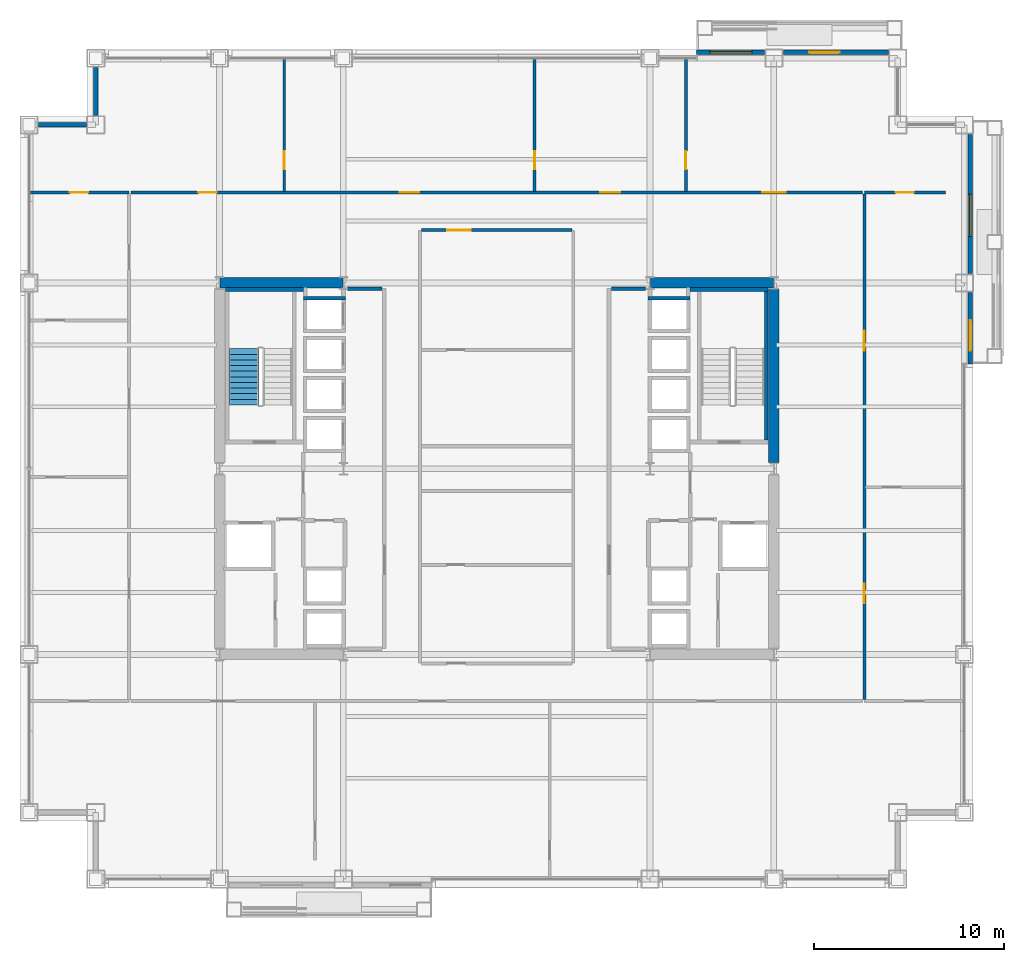
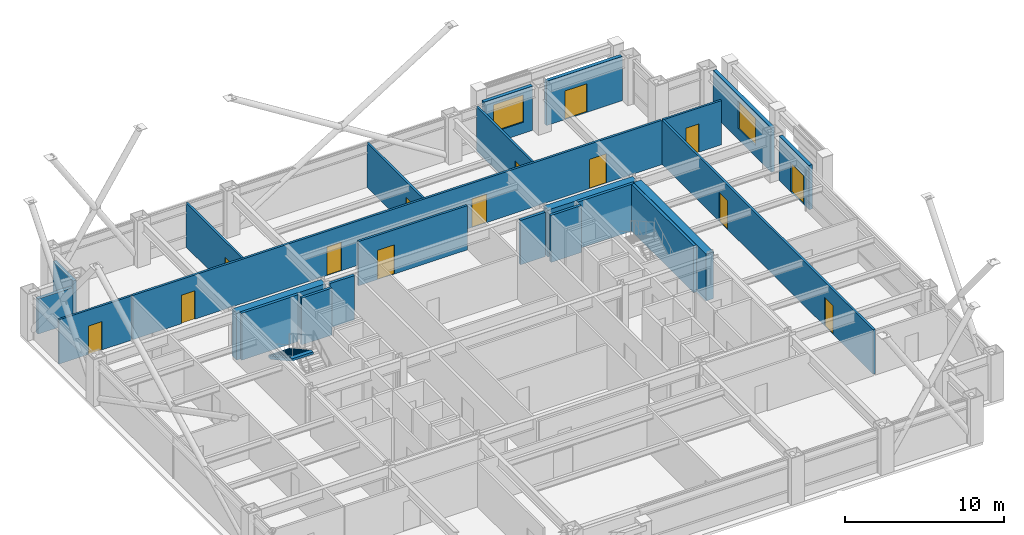
# One storey, part 30 of 34: 24 walls, 14 doors, 2 windows, 1 stair flight, 16 openings, 1 element without a shape of its own.
"""IFC4 building model written with IfcOpenShell, lengths in metres."""

from ifc_helpers import new_model, si_unit, direction, frame, frame_2d, origin, place, context, subcontext, project, spatial, polyline, rectangle, outline, extrude, material, layer, layer_set, type_object, element, fill, aggregate, save


model = new_model("IFC4")

# Units and contexts
model_context = context("Model", 3, precision=1e-05, world=origin(), true_north=direction((0.0, 1.0)))
body_context = subcontext(model_context, "Body", "Model", "MODEL_VIEW")
ifc_project = project(units=[si_unit("LENGTHUNIT", "METRE"), si_unit("AREAUNIT", "SQUARE_METRE"), si_unit("VOLUMEUNIT", "CUBIC_METRE"), si_unit("PLANEANGLEUNIT", "RADIAN"), si_unit("MASSUNIT", "GRAM", prefix="KILO")], contexts=[model_context])

# Site, building, storey
site_placement = place(None, origin())
site = spatial("IfcSite", under=ifc_project, at=site_placement, CompositionType="ELEMENT")
building_placement = place(site_placement, origin())
building = spatial("IfcBuilding", under=site, at=building_placement, Name="Brelmoor Portico Tower", CompositionType="ELEMENT")
storey_placement = place(building_placement, frame((0.0, 0.0, 45.60009765625)))
storey = spatial("IfcBuildingStorey", under=building, at=storey_placement, Name="L11", CompositionType="ELEMENT", Elevation=45.60009765625)

# Walls
ifc_material_1 = material(Name="Concrete C60", Category="concrete")
ifc_layer_1 = layer(ifc_material_1, 0.550048828125)
ifc_layer_set_1 = layer_set([ifc_layer_1], Name="Concrete C60")
wall_type_1 = type_object("IfcWallType", Name="WL-CORE-550", PredefinedType="SHEAR", material=ifc_layer_set_1)
for number, where, z_axis, x_axis, name in (
    (1, (-14.530029296875, 9.75, -0.2001953125), (0.0, 0.0, 1.0), (1.0, 0.0, 0.0), "L11 WC North Shear Wall"),
    (2, (8.070068359375, 9.75, -0.2001953125), (0.0, 0.0, 1.0), (1.0, 0.0, 0.0), "L11 EC North Shear Wall"),
):
    element("IfcWall", number, at=place(storey_placement, frame(where, z_axis=z_axis, x_axis=x_axis)), inside=storey, type_object=wall_type_1, Name=name, PredefinedType="SHEAR", context=body_context, shape_type="SweptSolid", body=[
        extrude(rectangle(XDim=6.4599609375, YDim=0.550048828125, at=frame_2d((3.22998046875, 0.0))), origin(), (0.0, 0.0, 1.0), 3.60009765625),
    ])
wall_1_placement = place(storey_placement, frame((14.550048828125, 0.324951171875, -0.2001953125), z_axis=(0.0, 0.0, 1.0), x_axis=(0.0, 1.0, 0.0)))
element("IfcWall", 3, at=wall_1_placement, inside=storey, type_object=wall_type_1, Name="L11 EC Outer North Shear Wall", PredefinedType="SHEAR", context=body_context, shape_type="SweptSolid", body=[
    extrude(rectangle(XDim=9.10009765625, YDim=0.550048828125, at=frame_2d((4.550048828125, 0.0))), origin(), (0.0, 0.0, 1.0), 3.60009765625),
])

# Wall, opening, window
ifc_material_2 = material(Name="Precast Concrete C40 Insulated Facade Wall", Category="concrete")
ifc_layer_2 = layer(ifc_material_2, 0.25)
ifc_layer_set_2 = layer_set([ifc_layer_2], Name="Precast Concrete C40 Insulated Facade Wall")
wall_type_2 = type_object("IfcWallType", Name="WL-EXT-250", PredefinedType="STANDARD", material=ifc_layer_set_2)
wall_2_placement = place(storey_placement, frame((10.5, 21.860107421875, 0.0), z_axis=(0.0, 0.0, 1.0), x_axis=(1.0, 0.0, 0.0)))
wall_2 = element("IfcWall", 4, at=wall_2_placement, inside=storey, type_object=wall_type_2, Name="L11 Loggia Threshold Wall N-1", PredefinedType="STANDARD", context=body_context, shape_type="SweptSolid", body=[
    extrude(rectangle(XDim=3.554931640625, YDim=0.25, at=frame_2d((1.77734375, 0.0))), origin(), (0.0, 0.0, 1.0), 3.39990234375),
])
opening_1_placement = place(wall_2_placement, frame((0.699951171875, 0.0, 0.85009765625)))
opening_1 = element("IfcOpeningElement", 5, at=opening_1_placement, cuts=wall_2, Name="Opening W-03B", PredefinedType="OPENING", context=body_context, shape_type="SweptSolid", body=[
    extrude(rectangle(XDim=2.199951171875, YDim=2.10009765625, at=frame_2d((1.10009765625, 1.050048828125))), frame((0.0, 0.135009765625, 0.0), z_axis=(0.0, -1.0, 0.0), x_axis=(1.0, 0.0, 0.0)), (0.0, 0.0, 1.0), 0.27001953125),
])
ifc_material_3 = material(Name="Thermally Broken Aluminium Low-E Window", Category="aluminium")
window_type = type_object("IfcWindowType", Name="WN-LOGGIA-2200x2100", PartitioningType="SINGLE_PANEL", PredefinedType="WINDOW", material=ifc_material_3)
window_1_placement = place(opening_1_placement, origin())
window_1 = element("IfcWindow", 6, at=window_1_placement, inside=storey, type_object=window_type, Name="L11 Loggia Window N", OverallHeight=2.10009765625, OverallWidth=2.199951171875, PartitioningType="SINGLE_PANEL", PredefinedType="WINDOW", context=body_context, shape_type="SweptSolid", body=[
    extrude(rectangle(XDim=2.199951171875, YDim=2.10009765625, at=frame_2d((1.10009765625, 1.050048828125))), frame((0.0, 0.030029296875, 0.0), z_axis=(0.0, -1.0, 0.0), x_axis=(1.0, 0.0, 0.0)), (0.0, 0.0, 1.0), 0.06005859375),
])
fill(opening_1, window_1)

# Wall, opening, door
wall_3_placement = place(storey_placement, frame((15.044921875, 21.860107421875, 0.0), z_axis=(0.0, 0.0, 1.0), x_axis=(1.0, 0.0, 0.0)))
wall_3 = element("IfcWall", 7, at=wall_3_placement, inside=storey, type_object=wall_type_2, Name="L11 Loggia Threshold Wall N-2", PredefinedType="STANDARD", context=body_context, shape_type="SweptSolid", body=[
    extrude(rectangle(XDim=5.510009765625, YDim=0.25, at=frame_2d((2.7548828125, 0.0))), origin(), (0.0, 0.0, 1.0), 3.39990234375),
])
opening_2_placement = place(wall_3_placement, frame((1.35498046875, 0.0, 0.0)))
opening_2 = element("IfcOpeningElement", 8, at=opening_2_placement, cuts=wall_3, Name="Opening D-TB1", PredefinedType="OPENING", context=body_context, shape_type="SweptSolid", body=[
    extrude(rectangle(XDim=1.60009765625, YDim=2.199951171875, at=frame_2d((0.800048828125, 1.10009765625))), frame((0.0, 0.135009765625, 0.0), z_axis=(0.0, -1.0, 0.0), x_axis=(1.0, 0.0, 0.0)), (0.0, 0.0, 1.0), 0.27001953125),
])
ifc_material_4 = material(Name="Double-Leaf Thermally Broken Terrace Door", Category="aluminium")
door_type_1 = type_object("IfcDoorType", Name="DR-BALCONY-1600", OperationType="NOTDEFINED", PredefinedType="DOOR", material=ifc_material_4)
door_1_placement = place(opening_2_placement, origin())
door_1 = element("IfcDoor", 9, at=door_1_placement, inside=storey, type_object=door_type_1, Name="D-0511 L11 Tree Balcony Double Door N", OperationType="DOUBLE_DOOR_SINGLE_SWING", OverallHeight=2.199951171875, OverallWidth=1.60009765625, PredefinedType="DOOR", context=body_context, shape_type="SweptSolid", body=[
    extrude(rectangle(XDim=1.60009765625, YDim=2.199951171875, at=frame_2d((0.800048828125, 1.10009765625))), frame((0.0, 0.02490234375, 0.0), z_axis=(0.0, -1.0, 0.0), x_axis=(1.0, 0.0, 0.0)), (0.0, 0.0, 1.0), 0.050048828125),
])
fill(opening_2, door_1)

wall_4_placement = place(storey_placement, frame((24.860107421875, 5.5, 0.0), z_axis=(0.0, 0.0, 1.0), x_axis=(0.0, 1.0, 0.0)))
wall_4 = element("IfcWall", 10, at=wall_4_placement, inside=storey, type_object=wall_type_2, Name="L11 Loggia Threshold Wall E-1", PredefinedType="STANDARD", context=body_context, shape_type="SweptSolid", body=[
    extrude(rectangle(XDim=3.7548828125, YDim=0.25, at=frame_2d((1.87744140625, 0.0))), origin(), (0.0, 0.0, 1.0), 3.39990234375),
])
opening_3_placement = place(wall_4_placement, frame((0.699951171875, 0.0, 0.0)))
opening_3 = element("IfcOpeningElement", 11, at=opening_3_placement, cuts=wall_4, Name="Opening D-TB1", PredefinedType="OPENING", context=body_context, shape_type="SweptSolid", body=[
    extrude(rectangle(XDim=1.60009765625, YDim=2.199951171875, at=frame_2d((0.800048828125, 1.10009765625))), frame((0.0, 0.135009765625, 0.0), z_axis=(0.0, -1.0, 0.0), x_axis=(1.0, 0.0, 0.0)), (0.0, 0.0, 1.0), 0.27001953125),
])
door_2_placement = place(opening_3_placement, origin())
door_2 = element("IfcDoor", 12, at=door_2_placement, inside=storey, type_object=door_type_1, Name="D-0510 L11 Tree Balcony Double Door E", OperationType="DOUBLE_DOOR_SINGLE_SWING", OverallHeight=2.199951171875, OverallWidth=1.60009765625, PredefinedType="DOOR", context=body_context, shape_type="SweptSolid", body=[
    extrude(rectangle(XDim=1.60009765625, YDim=2.199951171875, at=frame_2d((0.800048828125, 1.10009765625))), frame((0.0, 0.02490234375, 0.0), z_axis=(0.0, -1.0, 0.0), x_axis=(1.0, 0.0, 0.0)), (0.0, 0.0, 1.0), 0.050048828125),
])
fill(opening_3, door_2)

# Wall, opening, window
wall_5_placement = place(storey_placement, frame((24.860107421875, 10.2451171875, 0.0), z_axis=(0.0, 0.0, 1.0), x_axis=(0.0, 1.0, 0.0)))
wall_5 = element("IfcWall", 13, at=wall_5_placement, inside=storey, type_object=wall_type_2, Name="L11 Loggia Threshold Wall E-2", PredefinedType="STANDARD", context=body_context, shape_type="SweptSolid", body=[
    extrude(rectangle(XDim=7.309814453125, YDim=0.25, at=frame_2d((3.65478515625, 0.0))), origin(), (0.0, 0.0, 1.0), 3.39990234375),
])
opening_4_placement = place(wall_5_placement, frame((1.955078125, 0.0, 0.85009765625)))
opening_4 = element("IfcOpeningElement", 14, at=opening_4_placement, cuts=wall_5, Name="Opening W-03B", PredefinedType="OPENING", context=body_context, shape_type="SweptSolid", body=[
    extrude(rectangle(XDim=2.199951171875, YDim=2.10009765625, at=frame_2d((1.10009765625, 1.050048828125))), frame((0.0, 0.135009765625, 0.0), z_axis=(0.0, -1.0, 0.0), x_axis=(1.0, 0.0, 0.0)), (0.0, 0.0, 1.0), 0.27001953125),
])
window_2_placement = place(opening_4_placement, origin())
window_2 = element("IfcWindow", 15, at=window_2_placement, inside=storey, type_object=window_type, Name="L11 Loggia Window E", OverallHeight=2.10009765625, OverallWidth=2.199951171875, PartitioningType="SINGLE_PANEL", PredefinedType="WINDOW", context=body_context, shape_type="SweptSolid", body=[
    extrude(rectangle(XDim=2.199951171875, YDim=2.10009765625, at=frame_2d((1.10009765625, 1.050048828125))), frame((0.0, 0.030029296875, 0.0), z_axis=(0.0, -1.0, 0.0), x_axis=(1.0, 0.0, 0.0)), (0.0, 0.0, 1.0), 0.06005859375),
])
fill(opening_4, window_2)

# Walls
for number, where, z_axis, x_axis, name in (
    (16, (-24.06494140625, 18.050048828125, 0.0), (0.0, 0.0, 1.0), (1.0, 0.0, 0.0), "L11 Corner Notch Facade Wall NNWH1"),
    (17, (-21.050048828125, 18.534912109375, 0.0), (0.0, 0.0, 1.0), (0.0, 1.0, 0.0), "L11 Corner Notch Facade Wall NNWV1"),
):
    element("IfcWall", number, at=place(storey_placement, frame(where, z_axis=z_axis, x_axis=x_axis)), inside=storey, type_object=wall_type_2, Name=name, PredefinedType="STANDARD", context=body_context, shape_type="SweptSolid", body=[
        extrude(rectangle(XDim=2.530029296875, YDim=0.25, at=frame_2d((1.26513671875, 0.0))), origin(), (0.0, 0.0, 1.0), 2.699951171875),
    ])

# Wall, opening, door
ifc_material_5 = material(Name="Wet-Area Moisture-Resistant Partition", Category="gypsum")
ifc_layer_3 = layer(ifc_material_5, 0.14990234375)
ifc_layer_set_3 = layer_set([ifc_layer_3], Name="Wet-Area Moisture-Resistant Partition")
wall_type_3 = type_object("IfcWallType", Name="WL-PART-150", PredefinedType="PARTITIONING", material=ifc_layer_set_3)
wall_6_placement = place(storey_placement, frame((-11.149658203125, 14.56005859375, 0.0), z_axis=(0.0, 0.0, 1.0), x_axis=(0.0, 1.0, 0.0)))
wall_6 = element("IfcWall", 18, at=wall_6_placement, inside=storey, type_object=wall_type_3, Name="L11 North Suite Partition 1", PredefinedType="PARTITIONING", context=body_context, shape_type="SweptSolid", body=[
    extrude(rectangle(XDim=7.0, YDim=0.14990234375, at=frame_2d((3.5, 0.0))), origin(), (0.0, 0.0, 1.0), 3.39990234375),
])
opening_5_placement = place(wall_6_placement, frame((1.14990234375, 0.0, 0.0)))
opening_5 = element("IfcOpeningElement", 19, at=opening_5_placement, cuts=wall_6, Name="Opening D-IN2", PredefinedType="OPENING", context=body_context, shape_type="SweptSolid", body=[
    extrude(rectangle(XDim=0.9599609375, YDim=2.179931640625, at=frame_2d((0.47998046875, 1.08984375))), frame((0.0, 0.0849609375, 0.0), z_axis=(0.0, -1.0, 0.0), x_axis=(1.0, 0.0, 0.0)), (0.0, 0.0, 1.0), 0.169921875),
])
ifc_material_6 = material(Name="Lacquered Timber Suite Door", Category="wood")
door_type_2 = type_object("IfcDoorType", Name="DR-INT-950", OperationType="NOTDEFINED", PredefinedType="DOOR", material=ifc_material_6)
door_3_placement = place(opening_5_placement, origin())
door_3 = element("IfcDoor", 20, at=door_3_placement, inside=storey, type_object=door_type_2, Name="D-0496 L11 North Suite Connecting Door 1", OperationType="SINGLE_SWING_RIGHT", OverallHeight=2.179931640625, OverallWidth=0.9599609375, PredefinedType="DOOR", context=body_context, shape_type="SweptSolid", body=[
    extrude(rectangle(XDim=0.9599609375, YDim=2.179931640625, at=frame_2d((0.47998046875, 1.08984375))), frame((0.0, 0.02490234375, 0.0), z_axis=(0.0, -1.0, 0.0), x_axis=(1.0, 0.0, 0.0)), (0.0, 0.0, 1.0), 0.050048828125),
])
fill(opening_5, door_3)

wall_7_placement = place(storey_placement, frame((1.990966796875, 14.56005859375, 0.0), z_axis=(0.0, 0.0, 1.0), x_axis=(0.0, 1.0, 0.0)))
wall_7 = element("IfcWall", 21, at=wall_7_placement, inside=storey, type_object=wall_type_3, Name="L11 North Suite Partition 2", PredefinedType="PARTITIONING", context=body_context, shape_type="SweptSolid", body=[
    extrude(rectangle(XDim=7.0, YDim=0.14990234375, at=frame_2d((3.5, 0.0))), origin(), (0.0, 0.0, 1.0), 3.39990234375),
])
opening_6_placement = place(wall_7_placement, frame((1.14990234375, 0.0, 0.0)))
opening_6 = element("IfcOpeningElement", 22, at=opening_6_placement, cuts=wall_7, Name="Opening D-IN2", PredefinedType="OPENING", context=body_context, shape_type="SweptSolid", body=[
    extrude(rectangle(XDim=0.9599609375, YDim=2.179931640625, at=frame_2d((0.47998046875, 1.08984375))), frame((0.0, 0.0849609375, 0.0), z_axis=(0.0, -1.0, 0.0), x_axis=(1.0, 0.0, 0.0)), (0.0, 0.0, 1.0), 0.169921875),
])
door_4_placement = place(opening_6_placement, origin())
door_4 = element("IfcDoor", 23, at=door_4_placement, inside=storey, type_object=door_type_2, Name="D-0497 L11 North Suite Connecting Door 2", OperationType="SINGLE_SWING_LEFT", OverallHeight=2.179931640625, OverallWidth=0.9599609375, PredefinedType="DOOR", context=body_context, shape_type="SweptSolid", body=[
    extrude(rectangle(XDim=0.9599609375, YDim=2.179931640625, at=frame_2d((0.47998046875, 1.08984375))), frame((0.0, 0.02490234375, 0.0), z_axis=(0.0, -1.0, 0.0), x_axis=(1.0, 0.0, 0.0)), (0.0, 0.0, 1.0), 0.050048828125),
])
fill(opening_6, door_4)

wall_8_placement = place(storey_placement, frame((9.929931640625, 14.56005859375, 0.0), z_axis=(0.0, 0.0, 1.0), x_axis=(0.0, 1.0, 0.0)))
wall_8 = element("IfcWall", 24, at=wall_8_placement, inside=storey, type_object=wall_type_3, Name="L11 North Suite Partition 3", PredefinedType="PARTITIONING", context=body_context, shape_type="SweptSolid", body=[
    extrude(rectangle(XDim=7.0, YDim=0.14990234375, at=frame_2d((3.5, 0.0))), origin(), (0.0, 0.0, 1.0), 3.39990234375),
])
opening_7_placement = place(wall_8_placement, frame((1.14990234375, 0.0, 0.0)))
opening_7 = element("IfcOpeningElement", 25, at=opening_7_placement, cuts=wall_8, Name="Opening D-IN2", PredefinedType="OPENING", context=body_context, shape_type="SweptSolid", body=[
    extrude(rectangle(XDim=0.9599609375, YDim=2.179931640625, at=frame_2d((0.47998046875, 1.08984375))), frame((0.0, 0.0849609375, 0.0), z_axis=(0.0, -1.0, 0.0), x_axis=(1.0, 0.0, 0.0)), (0.0, 0.0, 1.0), 0.169921875),
])
door_5_placement = place(opening_7_placement, origin())
door_5 = element("IfcDoor", 26, at=door_5_placement, inside=storey, type_object=door_type_2, Name="D-0498 L11 North Suite Connecting Door 3", OperationType="SINGLE_SWING_RIGHT", OverallHeight=2.179931640625, OverallWidth=0.9599609375, PredefinedType="DOOR", context=body_context, shape_type="SweptSolid", body=[
    extrude(rectangle(XDim=0.9599609375, YDim=2.179931640625, at=frame_2d((0.47998046875, 1.08984375))), frame((0.0, 0.02490234375, 0.0), z_axis=(0.0, -1.0, 0.0), x_axis=(1.0, 0.0, 0.0)), (0.0, 0.0, 1.0), 0.050048828125),
])
fill(opening_7, door_5)

wall_9_placement = place(storey_placement, frame((-24.56005859375, 14.5, 0.0), z_axis=(0.0, 0.0, 1.0), x_axis=(1.0, 0.0, 0.0)))
wall_9 = element("IfcWall", 27, at=wall_9_placement, inside=storey, type_object=wall_type_3, Name="L11 North Outer Closure WL", PredefinedType="PARTITIONING", context=body_context, shape_type="SweptSolid", body=[
    extrude(rectangle(XDim=5.260009765625, YDim=0.14990234375, at=frame_2d((2.6298828125, 0.0))), origin(), (0.0, 0.0, 1.0), 3.39990234375),
])
opening_8_placement = place(wall_9_placement, frame((2.14990234375, 0.0, 0.0)))
opening_8 = element("IfcOpeningElement", 28, at=opening_8_placement, cuts=wall_9, Name="Opening D-IN2", PredefinedType="OPENING", context=body_context, shape_type="SweptSolid", body=[
    extrude(rectangle(XDim=0.9599609375, YDim=2.179931640625, at=frame_2d((0.47998046875, 1.08984375))), frame((0.0, 0.0849609375, 0.0), z_axis=(0.0, -1.0, 0.0), x_axis=(1.0, 0.0, 0.0)), (0.0, 0.0, 1.0), 0.169921875),
])
door_6_placement = place(opening_8_placement, origin())
door_6 = element("IfcDoor", 29, at=door_6_placement, inside=storey, type_object=door_type_2, Name="D-0500 L11 WL North Corner Suite Door", OperationType="SINGLE_SWING_LEFT", OverallHeight=2.179931640625, OverallWidth=0.9599609375, PredefinedType="DOOR", context=body_context, shape_type="SweptSolid", body=[
    extrude(rectangle(XDim=0.9599609375, YDim=2.179931640625, at=frame_2d((0.47998046875, 1.08984375))), frame((0.0, 0.02490234375, 0.0), z_axis=(0.0, -1.0, 0.0), x_axis=(1.0, 0.0, 0.0)), (0.0, 0.0, 1.0), 0.050048828125),
])
fill(opening_8, door_6)

wall_10_placement = place(storey_placement, frame((19.300048828125, 14.5, 0.0), z_axis=(0.0, 0.0, 1.0), x_axis=(1.0, 0.0, 0.0)))
wall_10 = element("IfcWall", 30, at=wall_10_placement, inside=storey, type_object=wall_type_3, Name="L11 North Outer Closure ER", PredefinedType="PARTITIONING", context=body_context, shape_type="SweptSolid", body=[
    extrude(rectangle(XDim=4.25, YDim=0.14990234375, at=frame_2d((2.125, 0.0))), origin(), (0.0, 0.0, 1.0), 3.39990234375),
])
opening_9_placement = place(wall_10_placement, frame((1.64501953125, 0.0, 0.0)))
opening_9 = element("IfcOpeningElement", 31, at=opening_9_placement, cuts=wall_10, Name="Opening D-IN2", PredefinedType="OPENING", context=body_context, shape_type="SweptSolid", body=[
    extrude(rectangle(XDim=0.9599609375, YDim=2.179931640625, at=frame_2d((0.47998046875, 1.08984375))), frame((0.0, 0.0849609375, 0.0), z_axis=(0.0, -1.0, 0.0), x_axis=(1.0, 0.0, 0.0)), (0.0, 0.0, 1.0), 0.169921875),
])
door_7_placement = place(opening_9_placement, origin())
door_7 = element("IfcDoor", 32, at=door_7_placement, inside=storey, type_object=door_type_2, Name="D-0499 L11 ER North Corner Suite Door", OperationType="SINGLE_SWING_RIGHT", OverallHeight=2.179931640625, OverallWidth=0.9599609375, PredefinedType="DOOR", context=body_context, shape_type="SweptSolid", body=[
    extrude(rectangle(XDim=0.9599609375, YDim=2.179931640625, at=frame_2d((0.47998046875, 1.08984375))), frame((0.0, 0.02490234375, 0.0), z_axis=(0.0, -1.0, 0.0), x_axis=(1.0, 0.0, 0.0)), (0.0, 0.0, 1.0), 0.050048828125),
])
fill(opening_9, door_7)

ifc_material_7 = material(Name="Twin-Frame Acoustic Partition", Category="gypsum")
ifc_layer_4 = layer(ifc_material_7, 0.159912109375)
ifc_layer_set_4 = layer_set([ifc_layer_4], Name="Twin-Frame Acoustic Partition")
wall_type_4 = type_object("IfcWallType", Name="WL-PART-160", PredefinedType="PARTITIONING", material=ifc_layer_set_4)
wall_11_placement = place(storey_placement, frame((-3.949951171875, 12.52001953125, 0.0), z_axis=(0.0, 0.0, 1.0), x_axis=(1.0, 0.0, 0.0)))
wall_11 = element("IfcWall", 33, at=wall_11_placement, inside=storey, type_object=wall_type_4, Name="L11 Central Meeting Corridor Wall", PredefinedType="PARTITIONING", context=body_context, shape_type="SweptSolid", body=[
    extrude(rectangle(XDim=7.89990234375, YDim=0.159912109375, at=frame_2d((3.949951171875, 0.0))), origin(), (0.0, 0.0, 1.0), 3.39990234375),
])
opening_10_placement = place(wall_11_placement, frame((1.35009765625, 0.0, 0.0)))
opening_10 = element("IfcOpeningElement", 34, at=opening_10_placement, cuts=wall_11, Name="Opening D-SU1", PredefinedType="OPENING", context=body_context, shape_type="SweptSolid", body=[
    extrude(rectangle(XDim=1.239990234375, YDim=2.239990234375, at=frame_2d((0.6201171875, 1.1201171875))), frame((0.0, 0.08984375, 0.0), z_axis=(0.0, -1.0, 0.0), x_axis=(1.0, 0.0, 0.0)), (0.0, 0.0, 1.0), 0.179931640625),
])
ifc_material_8 = material(Name="Glazed Timber Executive Suite Door", Category="wood")
door_type_3 = type_object("IfcDoorType", Name="DR-SUITE-1200", OperationType="NOTDEFINED", PredefinedType="DOOR", material=ifc_material_8)
door_8_placement = place(opening_10_placement, origin())
door_8 = element("IfcDoor", 35, at=door_8_placement, inside=storey, type_object=door_type_3, Name="D-0478 L11 Client Meeting Room Door", OperationType="SINGLE_SWING_RIGHT", OverallHeight=2.239990234375, OverallWidth=1.239990234375, PredefinedType="DOOR", context=body_context, shape_type="SweptSolid", body=[
    extrude(rectangle(XDim=1.239990234375, YDim=2.239990234375, at=frame_2d((0.6201171875, 1.1201171875))), frame((0.0, 0.02490234375, 0.0), z_axis=(0.0, -1.0, 0.0), x_axis=(1.0, 0.0, 0.0)), (0.0, 0.0, 1.0), 0.050048828125),
])
fill(opening_10, door_8)

# Wall, openings, doors
wall_12_placement = place(storey_placement, frame((-19.199951171875, 14.5, 0.0), z_axis=(0.0, 0.0, 1.0), x_axis=(1.0, 0.0, 0.0)))
wall_12 = element("IfcWall", 36, at=wall_12_placement, inside=storey, type_object=wall_type_4, Name="L11 North Corridor Partition", PredefinedType="PARTITIONING", context=body_context, shape_type="SweptSolid", body=[
    extrude(rectangle(XDim=38.39990234375, YDim=0.159912109375, at=frame_2d((19.199951171875, 0.0))), origin(), (0.0, 0.0, 1.0), 3.39990234375),
])
opening_11_placement = place(wall_12_placement, frame((3.545166015625, 0.0, 0.0)))
opening_11 = element("IfcOpeningElement", 37, at=opening_11_placement, cuts=wall_12, Name="Opening D-IN2", PredefinedType="OPENING", context=body_context, shape_type="SweptSolid", body=[
    extrude(rectangle(XDim=0.9599609375, YDim=2.179931640625, at=frame_2d((0.47998046875, 1.08984375))), frame((0.0, 0.08984375, 0.0), z_axis=(0.0, -1.0, 0.0), x_axis=(1.0, 0.0, 0.0)), (0.0, 0.0, 1.0), 0.179931640625),
])
opening_12_placement = place(wall_12_placement, frame((14.110595703125, 0.0, 0.0)))
opening_12 = element("IfcOpeningElement", 38, at=opening_12_placement, cuts=wall_12, Name="Opening D-OF1", PredefinedType="OPENING", context=body_context, shape_type="SweptSolid", body=[
    extrude(rectangle(XDim=1.02001953125, YDim=2.199951171875, at=frame_2d((0.510009765625, 1.10009765625))), frame((0.0, 0.08984375, 0.0), z_axis=(0.0, -1.0, 0.0), x_axis=(1.0, 0.0, 0.0)), (0.0, 0.0, 1.0), 0.179931640625),
])
opening_13_placement = place(wall_12_placement, frame((24.630615234375, 0.0, 0.0)))
opening_13 = element("IfcOpeningElement", 39, at=opening_13_placement, cuts=wall_12, Name="Opening D-OF2", PredefinedType="OPENING", context=body_context, shape_type="SweptSolid", body=[
    extrude(rectangle(XDim=1.06005859375, YDim=2.199951171875, at=frame_2d((0.530029296875, 1.10009765625))), frame((0.0, 0.08984375, 0.0), z_axis=(0.0, -1.0, 0.0), x_axis=(1.0, 0.0, 0.0)), (0.0, 0.0, 1.0), 0.179931640625),
])
opening_14_placement = place(wall_12_placement, frame((33.14501953125, 0.0, 0.0)))
opening_14 = element("IfcOpeningElement", 40, at=opening_14_placement, cuts=wall_12, Name="Opening D-SU1", PredefinedType="OPENING", context=body_context, shape_type="SweptSolid", body=[
    extrude(rectangle(XDim=1.239990234375, YDim=2.239990234375, at=frame_2d((0.6201171875, 1.1201171875))), frame((0.0, 0.08984375, 0.0), z_axis=(0.0, -1.0, 0.0), x_axis=(1.0, 0.0, 0.0)), (0.0, 0.0, 1.0), 0.179931640625),
])
door_9_placement = place(opening_11_placement, origin())
door_9 = element("IfcDoor", 41, at=door_9_placement, inside=storey, type_object=door_type_2, Name="D-0492 L11 North Open-Plan Office 1 Door", OperationType="SINGLE_SWING_LEFT", OverallHeight=2.179931640625, OverallWidth=0.9599609375, PredefinedType="DOOR", context=body_context, shape_type="SweptSolid", body=[
    extrude(rectangle(XDim=0.9599609375, YDim=2.179931640625, at=frame_2d((0.47998046875, 1.08984375))), frame((0.0, 0.02490234375, 0.0), z_axis=(0.0, -1.0, 0.0), x_axis=(1.0, 0.0, 0.0)), (0.0, 0.0, 1.0), 0.050048828125),
])
fill(opening_11, door_9)
ifc_material_9 = material(Name="Hardwood Acoustic Veneer Door", Category="wood")
door_type_4 = type_object("IfcDoorType", Name="DR-OFFICE-1000", OperationType="NOTDEFINED", PredefinedType="DOOR", material=ifc_material_9)
door_10_placement = place(opening_12_placement, origin())
door_10 = element("IfcDoor", 42, at=door_10_placement, inside=storey, type_object=door_type_4, Name="D-0493 L11 North Cellular Office 2 Door", OperationType="SINGLE_SWING_RIGHT", OverallHeight=2.199951171875, OverallWidth=1.02001953125, PredefinedType="DOOR", context=body_context, shape_type="SweptSolid", body=[
    extrude(rectangle(XDim=1.02001953125, YDim=2.199951171875, at=frame_2d((0.510009765625, 1.10009765625))), frame((0.0, 0.02490234375, 0.0), z_axis=(0.0, -1.0, 0.0), x_axis=(1.0, 0.0, 0.0)), (0.0, 0.0, 1.0), 0.050048828125),
])
fill(opening_12, door_10)
door_type_5 = type_object("IfcDoorType", Name="DR-OFFICE-1050", OperationType="NOTDEFINED", PredefinedType="DOOR", material=ifc_material_9)
door_11_placement = place(opening_13_placement, origin())
door_11 = element("IfcDoor", 43, at=door_11_placement, inside=storey, type_object=door_type_5, Name="D-0494 L11 North Technical Storage Room 3 Door", OperationType="SINGLE_SWING_LEFT", OverallHeight=2.199951171875, OverallWidth=1.06005859375, PredefinedType="DOOR", context=body_context, shape_type="SweptSolid", body=[
    extrude(rectangle(XDim=1.06005859375, YDim=2.199951171875, at=frame_2d((0.530029296875, 1.10009765625))), frame((0.0, 0.02490234375, 0.0), z_axis=(0.0, -1.0, 0.0), x_axis=(1.0, 0.0, 0.0)), (0.0, 0.0, 1.0), 0.050048828125),
])
fill(opening_13, door_11)
door_12_placement = place(opening_14_placement, origin())
door_12 = element("IfcDoor", 44, at=door_12_placement, inside=storey, type_object=door_type_3, Name="D-0495 L11 North Project Mail and Print Room 4 Door", OperationType="SINGLE_SWING_RIGHT", OverallHeight=2.239990234375, OverallWidth=1.239990234375, PredefinedType="DOOR", context=body_context, shape_type="SweptSolid", body=[
    extrude(rectangle(XDim=1.239990234375, YDim=2.239990234375, at=frame_2d((0.6201171875, 1.1201171875))), frame((0.0, 0.02490234375, 0.0), z_axis=(0.0, -1.0, 0.0), x_axis=(1.0, 0.0, 0.0)), (0.0, 0.0, 1.0), 0.050048828125),
])
fill(opening_14, door_12)

wall_13_placement = place(storey_placement, frame((19.300048828125, -12.1201171875, 0.0), z_axis=(0.0, 0.0, 1.0), x_axis=(0.0, 1.0, 0.0)))
wall_13 = element("IfcWall", 45, at=wall_13_placement, inside=storey, type_object=wall_type_4, Name="L11 E Wing Corridor Wall", PredefinedType="PARTITIONING", context=body_context, shape_type="SweptSolid", body=[
    extrude(rectangle(XDim=26.5400390625, YDim=0.159912109375, at=frame_2d((13.27001953125, 0.0))), origin(), (0.0, 0.0, 1.0), 3.39990234375),
])
opening_15_placement = place(wall_13_placement, frame((5.0634765625, 0.0, 0.0)))
opening_15 = element("IfcOpeningElement", 46, at=opening_15_placement, cuts=wall_13, Name="Opening D-OF1", PredefinedType="OPENING", context=body_context, shape_type="SweptSolid", body=[
    extrude(rectangle(XDim=1.02001953125, YDim=2.199951171875, at=frame_2d((0.510009765625, 1.10009765625))), frame((0.0, 0.08984375, 0.0), z_axis=(0.0, -1.0, 0.0), x_axis=(1.0, 0.0, 0.0)), (0.0, 0.0, 1.0), 0.179931640625),
])
opening_16_placement = place(wall_13_placement, frame((18.3134765625, 0.0, 0.0)))
opening_16 = element("IfcOpeningElement", 47, at=opening_16_placement, cuts=wall_13, Name="Opening D-OF2", PredefinedType="OPENING", context=body_context, shape_type="SweptSolid", body=[
    extrude(rectangle(XDim=1.06005859375, YDim=2.199951171875, at=frame_2d((0.530029296875, 1.10009765625))), frame((0.0, 0.08984375, 0.0), z_axis=(0.0, -1.0, 0.0), x_axis=(1.0, 0.0, 0.0)), (0.0, 0.0, 1.0), 0.179931640625),
])
door_13_placement = place(opening_15_placement, origin())
door_13 = element("IfcDoor", 48, at=door_13_placement, inside=storey, type_object=door_type_4, Name="D-0513 L11 E Executive Study 1 Door", OperationType="SINGLE_SWING_LEFT", OverallHeight=2.199951171875, OverallWidth=1.02001953125, PredefinedType="DOOR", context=body_context, shape_type="SweptSolid", body=[
    extrude(rectangle(XDim=1.02001953125, YDim=2.199951171875, at=frame_2d((0.510009765625, 1.10009765625))), frame((0.0, 0.02490234375, 0.0), z_axis=(0.0, -1.0, 0.0), x_axis=(1.0, 0.0, 0.0)), (0.0, 0.0, 1.0), 0.050048828125),
])
fill(opening_15, door_13)
door_14_placement = place(opening_16_placement, origin())
door_14 = element("IfcDoor", 49, at=door_14_placement, inside=storey, type_object=door_type_5, Name="D-0514 L11 E Partner Office 2 Door", OperationType="SINGLE_SWING_RIGHT", OverallHeight=2.199951171875, OverallWidth=1.06005859375, PredefinedType="DOOR", context=body_context, shape_type="SweptSolid", body=[
    extrude(rectangle(XDim=1.06005859375, YDim=2.199951171875, at=frame_2d((0.530029296875, 1.10009765625))), frame((0.0, 0.02490234375, 0.0), z_axis=(0.0, -1.0, 0.0), x_axis=(1.0, 0.0, 0.0)), (0.0, 0.0, 1.0), 0.050048828125),
])
fill(opening_16, door_14)

# Walls
ifc_material_10 = material(Name="Double-Stud Gypsum Fire Partition", Category="gypsum")
ifc_layer_5 = layer(ifc_material_10, 0.199951171875)
ifc_layer_set_5 = layer_set([ifc_layer_5], Name="Double-Stud Gypsum Fire Partition")
wall_type_5 = type_object("IfcWallType", Name="WL-PART-200", PredefinedType="PARTITIONING", material=ifc_layer_set_5)
for number, where, z_axis, x_axis, name in (
    (50, (-6.02001953125, 9.449951171875, 0.0), (0.0, 0.0, 1.0), (-1.0, 0.0, 0.0), "L11 W Lift Lobby North End Wall"),
    (51, (6.02001953125, 9.449951171875, 0.0), (0.0, 0.0, 1.0), (1.0, 0.0, 0.0), "L11 E Lift Lobby North End Wall"),
):
    element("IfcWall", number, at=place(storey_placement, frame(where, z_axis=z_axis, x_axis=x_axis)), inside=storey, type_object=wall_type_5, Name=name, PredefinedType="PARTITIONING", context=body_context, shape_type="SweptSolid", body=[
        extrude(rectangle(XDim=1.800048828125, YDim=0.199951171875, at=frame_2d((0.89990234375, 0.0))), origin(), (0.0, 0.0, 1.0), 3.39990234375),
    ])
ifc_material_11 = material(Name="Precast Concrete C40", Category="concrete")
ifc_layer_6 = layer(ifc_material_11, 0.18994140625)
ifc_layer_set_6 = layer_set([ifc_layer_6], Name="Precast Concrete C40")
wall_type_6 = type_object("IfcWallType", Name="WL-SHAFT-180", PredefinedType="SOLIDWALL", material=ifc_layer_set_6)
for number, where, z_axis, x_axis, name in (
    (52, (-10.14990234375, 8.955078125, -0.2001953125), (0.0, 0.0, 1.0), (1.0, 0.0, 0.0), "L11 Lift PL4 Hoistway North Wall"),
    (53, (7.949951171875, 8.955078125, -0.2001953125), (0.0, 0.0, 1.0), (1.0, 0.0, 0.0), "L11 Lift PM4 Hoistway North Wall"),
):
    element("IfcWall", number, at=place(storey_placement, frame(where, z_axis=z_axis, x_axis=x_axis)), inside=storey, type_object=wall_type_6, Name=name, PredefinedType="SOLIDWALL", context=body_context, shape_type="SweptSolid", body=[
        extrude(rectangle(XDim=2.199951171875, YDim=0.18994140625, at=frame_2d((1.10009765625, 0.0))), origin(), (0.0, 0.0, 1.0), 3.60009765625),
    ])
ifc_material_12 = material(Name="Concrete C40", Category="concrete")
ifc_layer_7 = layer(ifc_material_12, 0.199951171875)
ifc_layer_set_7 = layer_set([ifc_layer_7], Name="Concrete C40")
wall_type_7 = type_object("IfcWallType", Name="WL-SHAFT-RC200", PredefinedType="SOLIDWALL", material=ifc_layer_set_7)
wall_14_placement = place(storey_placement, frame((14.14990234375, 1.5, -0.2001953125), z_axis=(0.0, 0.0, 1.0), x_axis=(0.0, 1.0, 0.0)))
element("IfcWall", 54, at=wall_14_placement, inside=storey, type_object=wall_type_7, Name="L11 ST-E Structural Stair Wall Outer", PredefinedType="SOLIDWALL", context=body_context, shape_type="SweptSolid", body=[
    extrude(rectangle(XDim=7.800048828125, YDim=0.199951171875, at=frame_2d((3.89990234375, 0.0))), origin(), (0.0, 0.0, 1.0), 3.60009765625),
])
for number, where, z_axis, x_axis, name in (
    (55, (-14.25, 9.39990234375, -0.2001953125), (0.0, 0.0, 1.0), (1.0, 0.0, 0.0), "L11 ST-W Structural Stair Wall N"),
    (56, (10.14990234375, 9.39990234375, -0.2001953125), (0.0, 0.0, 1.0), (1.0, 0.0, 0.0), "L11 ST-E Structural Stair Wall N"),
):
    element("IfcWall", number, at=place(storey_placement, frame(where, z_axis=z_axis, x_axis=x_axis)), inside=storey, type_object=wall_type_7, Name=name, PredefinedType="SOLIDWALL", context=body_context, shape_type="SweptSolid", body=[
        extrude(rectangle(XDim=4.10009765625, YDim=0.199951171875, at=frame_2d((2.050048828125, 0.0))), origin(), (0.0, 0.0, 1.0), 3.60009765625),
    ])

# Stair, stair flight
stair_type = type_object("IfcStairType", Name="ST-CORE-W", PredefinedType="HALF_TURN_STAIR", material=ifc_material_12)
stair_placement = place(storey_placement, origin())
stair = element("IfcStair", 57, at=stair_placement, inside=storey, type_object=stair_type, Name="L11 Protected Core Exit Stair ST-W", PredefinedType="HALF_TURN_STAIR")
stair_flight_type = type_object("IfcStairFlightType", Name="SF-CORE-1850", PredefinedType="STRAIGHT", material=ifc_material_12)
stair_flight_placement = place(storey_placement, frame((-13.27001953125, 6.300048828125, 1.7998046875), z_axis=(0.0, 0.0, 1.0), x_axis=(0.0, -1.0, 0.0)))
stair_flight = element("IfcStairFlight", 58, at=stair_flight_placement, type_object=stair_flight_type, Name="ST-W flight 2", NumberOfRisers=11, NumberOfTreads=10, PredefinedType="STRAIGHT", RiserHeight=0.163636364, TreadLength=0.295, context=body_context, shape_type="SweptSolid", body=[
    extrude(outline(polyline([(0.0, 0.0), (0.0, 0.16357421875), (0.294921875, 0.16357421875), (0.294921875, 0.327392578125), (0.590087890625, 0.327392578125), (0.590087890625, 0.490966796875), (0.885009765625, 0.490966796875), (0.885009765625, 0.654541015625), (1.179931640625, 0.654541015625), (1.179931640625, 0.818115234375), (1.47509765625, 0.818115234375), (1.47509765625, 0.98193359375), (1.77001953125, 0.98193359375), (1.77001953125, 1.1455078125), (2.06494140625, 1.1455078125), (2.06494140625, 1.30908203125), (2.360107421875, 1.30908203125), (2.360107421875, 1.47265625), (2.655029296875, 1.47265625), (2.655029296875, 1.636474609375), (2.949951171875, 1.636474609375), (2.949951171875, 1.800048828125), (2.949951171875, 1.46484375), (0.30908203125, 0.0), (0.0, 0.0)])), frame((0.0, 0.780029296875, 0.0), z_axis=(0.0, -1.0, 0.0), x_axis=(1.0, 0.0, 0.0)), (0.0, 0.0, 1.0), 1.56005859375),
])
aggregate(stair, [stair_flight])

save(model, "model.ifc")
